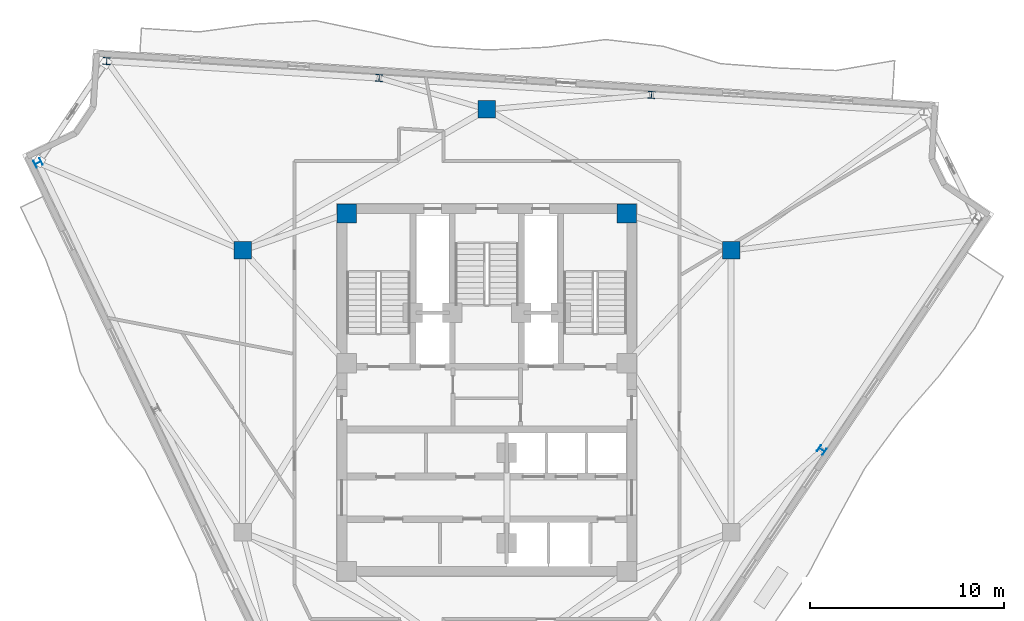
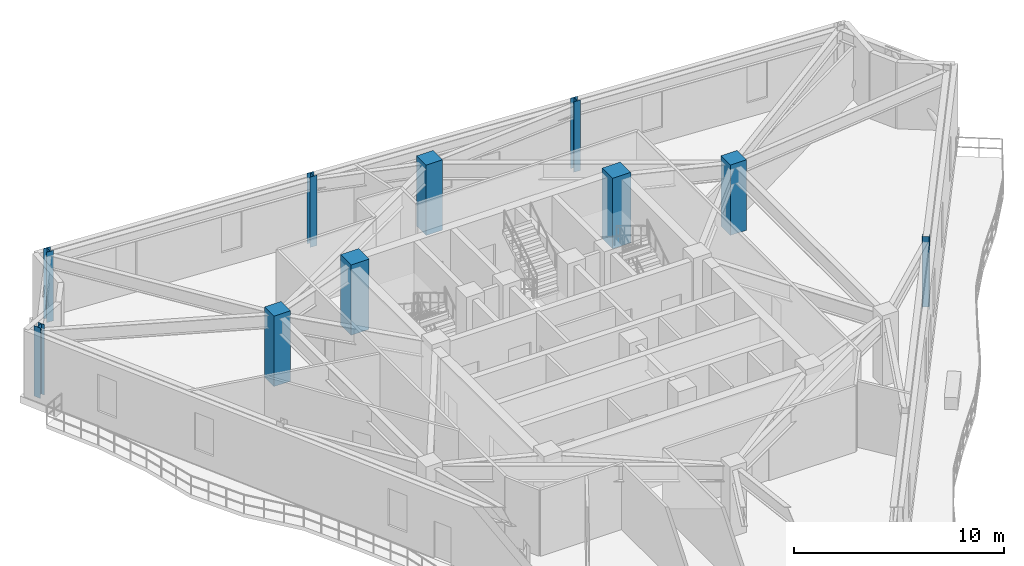
# One storey, part 2 of 11: 10 columns.
"""IFC4 building model written with IfcOpenShell, lengths in metres."""

from ifc_helpers import new_model, si_unit, direction, frame, origin, origin_2d, place, context, subcontext, project, spatial, rectangle, i_section, extrude, material, material_profile, profile_set, type_object, element, save


model = new_model("IFC4")

# Units and contexts
model_context = context("Model", 3, precision=1e-05, world=origin(), true_north=direction((0.0, 1.0)))
body_context = subcontext(model_context, "Body", "Model", "MODEL_VIEW")
ifc_project = project(units=[si_unit("LENGTHUNIT", "METRE"), si_unit("AREAUNIT", "SQUARE_METRE"), si_unit("VOLUMEUNIT", "CUBIC_METRE"), si_unit("PLANEANGLEUNIT", "RADIAN"), si_unit("MASSUNIT", "GRAM", prefix="KILO")], contexts=[model_context])

# Site, building, storey
site_placement = place(None, origin())
site = spatial("IfcSite", under=ifc_project, at=site_placement, CompositionType="ELEMENT")
building_placement = place(site_placement, origin())
building = spatial("IfcBuilding", under=site, at=building_placement, Name="Apsidion Concourse Tower", CompositionType="ELEMENT")
storey_placement = place(building_placement, frame((0.0, 0.0, 294.199951171875)))
storey = spatial("IfcBuildingStorey", under=building, at=storey_placement, Name="L69", CompositionType="ELEMENT", Elevation=294.199951171875)

# Columns
ifc_material_1 = material(Name="Concrete C50/60", Category="concrete")
ifc_material_profile_1 = material_profile(ifc_material_1, rectangle(XDim=1.0, YDim=1.0, at=origin_2d()), Name="RC 1000x1000")
ifc_profile_set_1 = profile_set([ifc_material_profile_1], Name="Concrete C50/60")
column_type_1 = type_object("IfcColumnType", Name="COL-RC-1000", PredefinedType="COLUMN", material=ifc_profile_set_1)
for number, where, z_axis, x_axis, name in (
    (1, (7.199951171875, 9.14990234375, 0.0), (0.0, 0.0, 1.0), (1.0, 0.0, 0.0), "L69 Core Super-Column SC4"),
    (2, (-7.199951171875, 9.14990234375, 0.0), (0.0, 0.0, 1.0), (1.0, 0.0, 0.0), "L69 Core Super-Column SC5"),
):
    element("IfcColumn", number, at=place(storey_placement, frame(where, z_axis=z_axis, x_axis=x_axis)), inside=storey, type_object=column_type_1, Name=name, PredefinedType="COLUMN", context=body_context, shape_type="SweptSolid", body=[
        extrude(rectangle(XDim=1.0, YDim=1.0, at=origin_2d()), origin(), (0.0, 0.0, 1.0), 4.10009765625),
    ])
ifc_material_profile_2 = material_profile(ifc_material_1, rectangle(XDim=0.89990234375, YDim=0.89990234375, at=origin_2d()), Name="RC 900x900")
ifc_profile_set_2 = profile_set([ifc_material_profile_2], Name="Concrete C50/60")
column_type_2 = type_object("IfcColumnType", Name="COL-RC-900", PredefinedType="COLUMN", material=ifc_profile_set_2)
for number, where, z_axis, x_axis, name in (
    (3, (12.56005859375, 7.25, 0.0), (0.0, 0.0, 1.0), (1.0, 0.0, 0.0), "L69 Interior Spine Column IC3"),
    (4, (0.0, 14.5, 0.0), (0.0, 0.0, 1.0), (1.0, 0.0, 0.0), "L69 Interior Spine Column IC4"),
    (5, (-12.56005859375, 7.25, 0.0), (0.0, 0.0, 1.0), (1.0, 0.0, 0.0), "L69 Interior Spine Column IC5"),
):
    element("IfcColumn", number, at=place(storey_placement, frame(where, z_axis=z_axis, x_axis=x_axis)), inside=storey, type_object=column_type_2, Name=name, PredefinedType="COLUMN", context=body_context, shape_type="SweptSolid", body=[
        extrude(rectangle(XDim=0.89990234375, YDim=0.89990234375, at=origin_2d()), origin(), (0.0, 0.0, 1.0), 4.10009765625),
    ])
ifc_material_2 = material(Name="Structural steel ASTM A992 Grade 50", Category="steel")
ifc_material_profile_3 = material_profile(ifc_material_2, i_section(OverallWidth=0.367919921875, OverallDepth=0.35595703125, WebThickness=0.01123046875, FlangeThickness=0.01806640625, at=origin_2d()), Name="W14X90")
ifc_profile_set_3 = profile_set([ifc_material_profile_3], Name="Structural steel ASTM A992 Grade 50")
column_type_3 = type_object("IfcColumnType", Name="COL-W14-90", PredefinedType="COLUMN", material=ifc_profile_set_3)
for number, where, z_axis, x_axis, name in (
    (6, (-23.0732421875, 11.758544921875, 0.0), (0.0, 0.0, 1.0), (-0.431298587031, 0.902209248913, 0.0), "L69 Rotated Perimeter Column PC01"),
    (7, (17.223876953125, -3.005615234375, 0.0), (0.0, 0.0, 1.0), (0.559192903471, 0.829037572555, 0.0), "L69 Rotated Perimeter Column PC07"),
    (8, (8.469482421875, 15.24853515625, 0.0), (0.0, 0.0, 1.0), (-0.998081143466, 0.061919553109, 0.0), "L69 Rotated Perimeter Column PC10"),
    (9, (-5.5380859375, 16.118408203125, 0.0), (0.0, 0.0, 1.0), (-0.998081143466, 0.061919553109, 0.0), "L69 Rotated Perimeter Column PC11"),
    (10, (-19.5458984375, 16.98828125, 0.0), (0.0, 0.0, 1.0), (-0.998081143466, 0.061919553109, 0.0), "L69 Rotated Perimeter Column PC12"),
):
    element("IfcColumn", number, at=place(storey_placement, frame(where, z_axis=z_axis, x_axis=x_axis)), inside=storey, type_object=column_type_3, Name=name, PredefinedType="COLUMN", context=body_context, shape_type="SweptSolid", body=[
        extrude(i_section(OverallWidth=0.367919921875, OverallDepth=0.35595703125, WebThickness=0.01123046875, FlangeThickness=0.01806640625, at=origin_2d()), origin(), (0.0, 0.0, 1.0), 4.10009765625),
    ])

save(model, "model.ifc")
